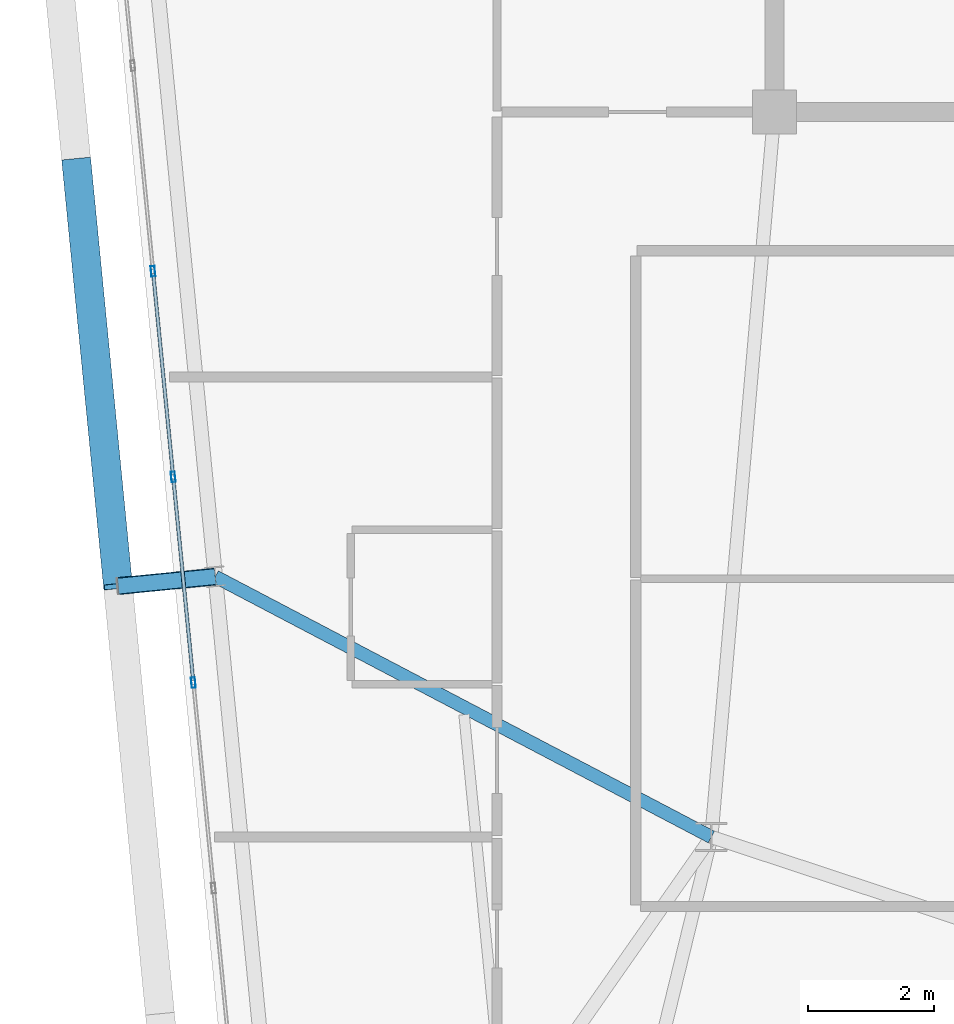
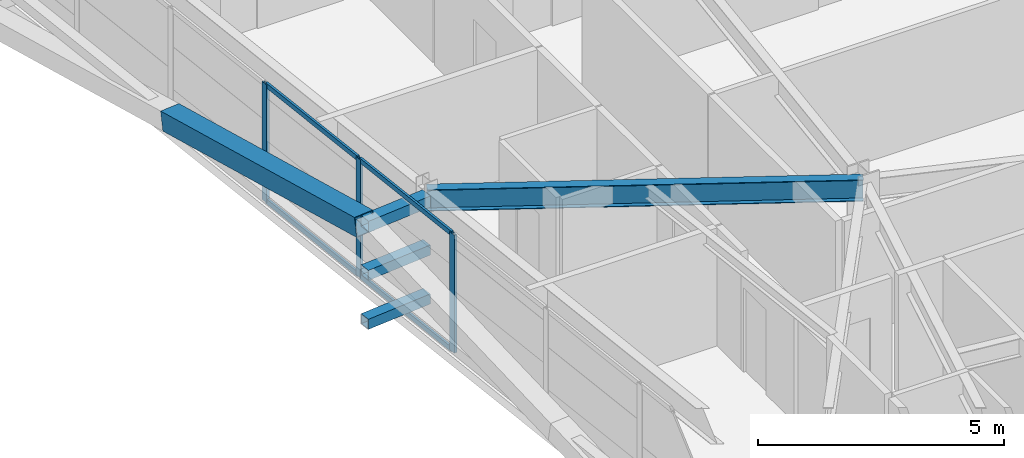
# One storey, part 13 of 54: 11 members, 1 beam, 1 element without a shape of its own.
"""IFC4 building model written with IfcOpenShell, lengths in metres."""

from ifc_helpers import new_model, si_unit, direction, frame, origin, origin_2d, place, context, subcontext, project, spatial, hollow_rectangle, i_section, extrude, source, transform, mapped, material, layer, layer_set, material_profile, profile_set, type_object, element, aggregate, save


model = new_model("IFC4")

# Units and contexts
model_context = context("Model", 3, precision=1e-05, world=origin(), true_north=direction((0.0, 1.0)))
body_context = subcontext(model_context, "Body", "Model", "MODEL_VIEW")
ifc_project = project(units=[si_unit("LENGTHUNIT", "METRE"), si_unit("AREAUNIT", "SQUARE_METRE"), si_unit("VOLUMEUNIT", "CUBIC_METRE"), si_unit("PLANEANGLEUNIT", "RADIAN"), si_unit("MASSUNIT", "GRAM", prefix="KILO")], contexts=[model_context])

# Site, building, storey
site_placement = place(None, origin())
site = spatial("IfcSite", under=ifc_project, at=site_placement, CompositionType="ELEMENT")
building_placement = place(site_placement, origin())
building = spatial("IfcBuilding", under=site, at=building_placement, Name="Taldren Reach Tower", CompositionType="ELEMENT")
storey_placement = place(building_placement, frame((0.0, 0.0, 99.75)))
storey = spatial("IfcBuildingStorey", under=building, at=storey_placement, Name="L30", CompositionType="ELEMENT", Elevation=99.75)

# Beam
ifc_material_1 = material(Name="Steel Gr 350 (350PLUS)", Category="steel")
ifc_material_profile_1 = material_profile(ifc_material_1, i_section(OverallWidth=0.208984375, OverallDepth=0.532958984375, WebThickness=0.01025390625, FlangeThickness=0.015625, at=origin_2d()), Name="530UB92.4")
ifc_profile_set_1 = profile_set([ifc_material_profile_1], Name="Steel Gr 350 (350PLUS)")
beam_type = type_object("IfcBeamType", Name="BM-UB530A", PredefinedType="BEAM", material=ifc_profile_set_1)
shared_shape_1 = source(origin(), body_context, "Body", "SweptSolid", [
    extrude(i_section(OverallWidth=0.208984375, OverallDepth=0.532958984375, WebThickness=0.01025390625, FlangeThickness=0.015625, at=origin_2d()), origin(), (0.0, 0.0, 1.0), 8.8876953125),
])
beam_placement = place(storey_placement, frame((18.0, 12.5, 2.66357421875), z_axis=(-0.885412881876, 0.464805366371, 0.0), x_axis=(-0.464805366371, -0.885412881876, 0.0)))
element("IfcBeam", 1, at=beam_placement, inside=storey, type_object=beam_type, Name="Primary floor girder B2-W2 L30", PredefinedType="BEAM", context=body_context, shape_type="MappedRepresentation", body=[
    mapped(shared_shape_1, transform((0.0, 0.0, 0.0), scale=1.0)),
])

# Members
ifc_material_2 = material(Name="Steel Gr 450 (C450L0)", Category="steel")
ifc_material_profile_2 = material_profile(ifc_material_2, hollow_rectangle(XDim=0.27490234375, YDim=0.27490234375, WallThickness=0.00927734375, at=origin_2d()), Name="275x275x9.3SHS")
ifc_profile_set_2 = profile_set([ifc_material_profile_2], Name="Steel Gr 450 (C450L0)")
member_type_1 = type_object("IfcMemberType", Name="MB-TIE273", PredefinedType="STRUT", material=ifc_profile_set_2)
shared_shape_2 = source(origin(), body_context, "Body", "SweptSolid", [
    extrude(hollow_rectangle(XDim=0.27490234375, YDim=0.27490234375, WallThickness=0.00927734375, at=origin_2d()), origin(), (0.0, 0.0, 1.0), 1.550048828125),
])
member_1_placement = place(storey_placement, frame((10.130615234375, 16.631103515625, 2.64990234375), z_axis=(-0.9952210252, -0.097647892962, 0.0), x_axis=(0.097647892962, -0.9952210252, 0.0)))
element("IfcMember", 2, at=member_1_placement, inside=storey, type_object=member_type_1, Name="Exoskeleton diaphragm tie strut B2-W2 L30", PredefinedType="STRUT", context=body_context, shape_type="MappedRepresentation", body=[
    mapped(shared_shape_2, transform((0.0, 0.0, 0.0), scale=1.0)),
])
ifc_material_3 = material(Name="Steel Gr 350 (C350L0)", Category="steel")
ifc_material_profile_3 = material_profile(ifc_material_3, hollow_rectangle(XDim=0.25, YDim=0.25, WallThickness=0.010009765625, at=origin_2d()), Name="250x250x10.0SHS")
ifc_profile_set_3 = profile_set([ifc_material_profile_3], Name="Steel Gr 350 (C350L0)")
member_type_2 = type_object("IfcMemberType", Name="MB-POST250", PredefinedType="POST", material=ifc_profile_set_3)
shared_shape_3 = source(origin(), body_context, "Body", "SweptSolid", [
    extrude(hollow_rectangle(XDim=0.25, YDim=0.25, WallThickness=0.010009765625, at=origin_2d()), origin(), (0.0, 0.0, 1.0), 1.550048828125),
])
for number, where, z_axis, x_axis, name in (
    (3, (10.130615234375, 16.631103515625, 0.219970703125), (-0.9952210252, -0.097647892962, 0.0), (0.097647892962, -0.9952210252, 0.0), "Exoskeleton base diaphragm tie strut B2-W2 L30"),
    (4, (10.130615234375, 16.631103515625, 1.43505859375), (-0.9952210252, -0.097647892962, 0.0), (0.097647892962, -0.9952210252, 0.0), "Exoskeleton mid-tier diaphragm tie B2-W2 L30"),
):
    element("IfcMember", number, at=place(storey_placement, frame(where, z_axis=z_axis, x_axis=x_axis)), inside=storey, type_object=member_type_2, Name=name, PredefinedType="POST", context=body_context, shape_type="MappedRepresentation", body=[
        mapped(shared_shape_3, transform((0.0, 0.0, 0.0), scale=1.0)),
    ])
ifc_material_profile_4 = material_profile(ifc_material_2, hollow_rectangle(XDim=0.4599609375, YDim=0.4599609375, WallThickness=0.01611328125, at=origin_2d()), Name="460x460x16.0SHS")
ifc_profile_set_4 = profile_set([ifc_material_profile_4], Name="Steel Gr 450 (C450L0)")
member_type_3 = type_object("IfcMemberType", Name="MB-EXO457", PredefinedType="BRACE", material=ifc_profile_set_4)
shared_shape_4 = source(origin(), body_context, "Body", "SweptSolid", [
    extrude(hollow_rectangle(XDim=0.4599609375, YDim=0.4599609375, WallThickness=0.01611328125, at=origin_2d()), origin(), (0.0, 0.0, 1.0), 6.883056640625),
])
member_2_placement = place(storey_placement, frame((7.9267578125, 23.222412109375, 1.43505859375), z_axis=(0.096052059581, -0.979603316657, 0.176497432967), x_axis=(0.995227290009, 0.097584021339, 0.0)))
element("IfcMember", 5, at=member_2_placement, inside=storey, type_object=member_type_3, Name="Exoskeleton Diagrid Brace B2-W2 L30", PredefinedType="BRACE", context=body_context, shape_type="MappedRepresentation", body=[
    mapped(shared_shape_4, transform((0.0, 0.0, 0.0), scale=1.0)),
])

# Curtain wall, members
ifc_material_4 = material(Name="Aluminium and Low-E Glass Unitised System", Category="aluminium")
ifc_layer = layer(ifc_material_4, 0.159912109375)
ifc_layer_set = layer_set([ifc_layer], Name="Aluminium and Low-E Glass Unitised System")
curtain_wall_type = type_object("IfcCurtainWallType", Name="CW-SYS-3", PredefinedType="NOTDEFINED", material=ifc_layer_set)
curtain_wall_placement = place(storey_placement, origin())
curtain_wall = element("IfcCurtainWall", 6, at=curtain_wall_placement, inside=storey, type_object=curtain_wall_type, Name="Unitised curtain wall CW-L30-W", PredefinedType="NOTDEFINED")
ifc_material_5 = material(Name="Anodised Aluminium 6063-T6", Category="aluminium")
ifc_material_profile_5 = material_profile(ifc_material_5, hollow_rectangle(XDim=0.06494140625, YDim=0.1650390625, WallThickness=0.00390625, at=origin_2d()), Name="ALU-165x65x4RHS")
ifc_profile_set_5 = profile_set([ifc_material_profile_5], Name="Anodised Aluminium 6063-T6")
member_type_4 = type_object("IfcMemberType", Name="CW-MUL-165", PredefinedType="MULLION", material=ifc_profile_set_5)
shared_shape_5 = source(origin(), body_context, "Body", "SweptSolid", [
    extrude(hollow_rectangle(XDim=0.06494140625, YDim=0.1650390625, WallThickness=0.00390625, at=origin_2d()), origin(), (0.0, 0.0, 1.0), 2.929931640625),
])
member_3_placement = place(storey_placement, frame((9.14306640625, 21.474609375, 0.0), z_axis=(0.0, 0.0, 1.0), x_axis=(0.99522741555, 0.09758274098, 0.0)))
member_3 = element("IfcMember", 7, at=member_3_placement, type_object=member_type_4, Name="CW-3 mullion 4", PredefinedType="MULLION", context=body_context, shape_type="MappedRepresentation", body=[
    mapped(shared_shape_5, transform((0.0, 0.0, 0.0), scale=1.0)),
])
member_4_placement = place(storey_placement, frame((9.463134765625, 18.21240234375, 0.0), z_axis=(0.0, 0.0, 1.0), x_axis=(0.99522741555, 0.09758274098, 0.0)))
member_4 = element("IfcMember", 8, at=member_4_placement, type_object=member_type_4, Name="CW-3 mullion 5", PredefinedType="MULLION", context=body_context, shape_type="MappedRepresentation", body=[
    mapped(shared_shape_5, transform((0.0, 0.0, 0.0), scale=1.0)),
])
member_5_placement = place(storey_placement, frame((9.782958984375, 14.9501953125, 0.0), z_axis=(0.0, 0.0, 1.0), x_axis=(0.99522741555, 0.09758274098, 0.0)))
member_5 = element("IfcMember", 9, at=member_5_placement, type_object=member_type_4, Name="CW-3 mullion 6", PredefinedType="MULLION", context=body_context, shape_type="MappedRepresentation", body=[
    mapped(shared_shape_5, transform((0.0, 0.0, 0.0), scale=1.0)),
])
ifc_material_profile_6 = material_profile(ifc_material_5, hollow_rectangle(XDim=0.054931640625, YDim=0.1201171875, WallThickness=0.0029296875, at=origin_2d()), Name="ALU-120x55x3RHS")
ifc_profile_set_6 = profile_set([ifc_material_profile_6], Name="Anodised Aluminium 6063-T6")
member_type_5 = type_object("IfcMemberType", Name="CW-TRN-135", PredefinedType="USERDEFINED", material=ifc_profile_set_6)
shared_shape_6 = source(origin(), body_context, "Body", "SweptSolid", [
    extrude(hollow_rectangle(XDim=0.054931640625, YDim=0.1201171875, WallThickness=0.0029296875, at=origin_2d()), origin(), (0.0, 0.0, 1.0), 3.212890625),
])
member_6_placement = place(storey_placement, frame((9.46630859375, 18.18017578125, 0.027587890625), z_axis=(0.097569948235, -0.995228669805, 0.0), x_axis=(0.995228669805, 0.097569948235, 0.0)))
member_6 = element("IfcMember", 10, at=member_6_placement, type_object=member_type_5, Name="CW-3 transom 5.1", ObjectType="TRANSOM", PredefinedType="USERDEFINED", context=body_context, shape_type="MappedRepresentation", body=[
    mapped(shared_shape_6, transform((0.0, 0.0, 0.0), scale=1.0)),
])
member_7_placement = place(storey_placement, frame((9.46630859375, 18.18017578125, 2.902587890625), z_axis=(0.097569948235, -0.995228669805, 0.0), x_axis=(0.995228669805, 0.097569948235, 0.0)))
member_7 = element("IfcMember", 11, at=member_7_placement, type_object=member_type_5, Name="CW-3 transom 5.2", ObjectType="TRANSOM", PredefinedType="USERDEFINED", context=body_context, shape_type="MappedRepresentation", body=[
    mapped(shared_shape_6, transform((0.0, 0.0, 0.0), scale=1.0)),
])
shared_shape_7 = source(origin(), body_context, "Body", "SweptSolid", [
    extrude(hollow_rectangle(XDim=0.054931640625, YDim=0.1201171875, WallThickness=0.0029296875, at=origin_2d()), origin(), (0.0, 0.0, 1.0), 3.212646484375),
])
member_8_placement = place(storey_placement, frame((9.146240234375, 21.442138671875, 0.027587890625), z_axis=(0.097652598057, -0.99522056354, 0.0), x_axis=(0.99522056354, 0.097652598057, 0.0)))
member_8 = element("IfcMember", 12, at=member_8_placement, type_object=member_type_5, Name="CW-3 transom 4.1", ObjectType="TRANSOM", PredefinedType="USERDEFINED", context=body_context, shape_type="MappedRepresentation", body=[
    mapped(shared_shape_7, transform((0.0, 0.0, 0.0), scale=1.0)),
])
member_9_placement = place(storey_placement, frame((9.146240234375, 21.442138671875, 2.902587890625), z_axis=(0.097652598057, -0.99522056354, 0.0), x_axis=(0.99522056354, 0.097652598057, 0.0)))
member_9 = element("IfcMember", 13, at=member_9_placement, type_object=member_type_5, Name="CW-3 transom 4.2", ObjectType="TRANSOM", PredefinedType="USERDEFINED", context=body_context, shape_type="MappedRepresentation", body=[
    mapped(shared_shape_7, transform((0.0, 0.0, 0.0), scale=1.0)),
])
aggregate(curtain_wall, [member_3, member_4, member_5, member_8, member_9, member_6, member_7])

save(model, "model.ifc")
